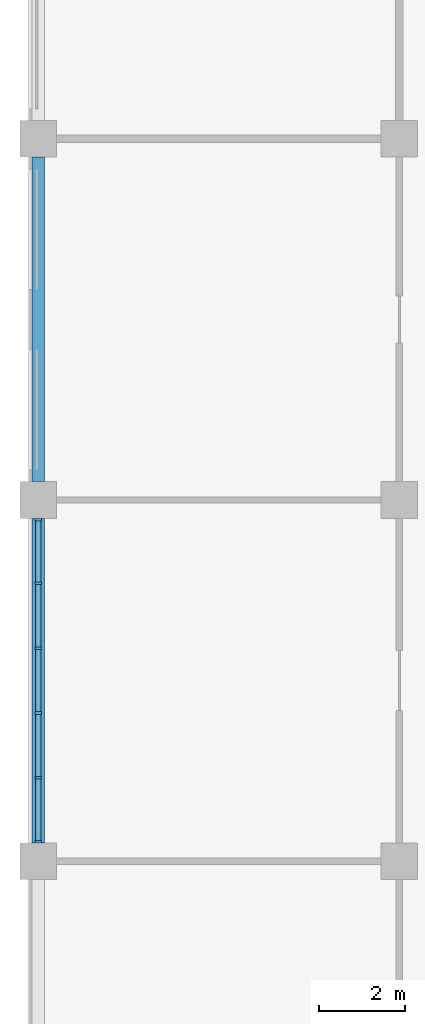
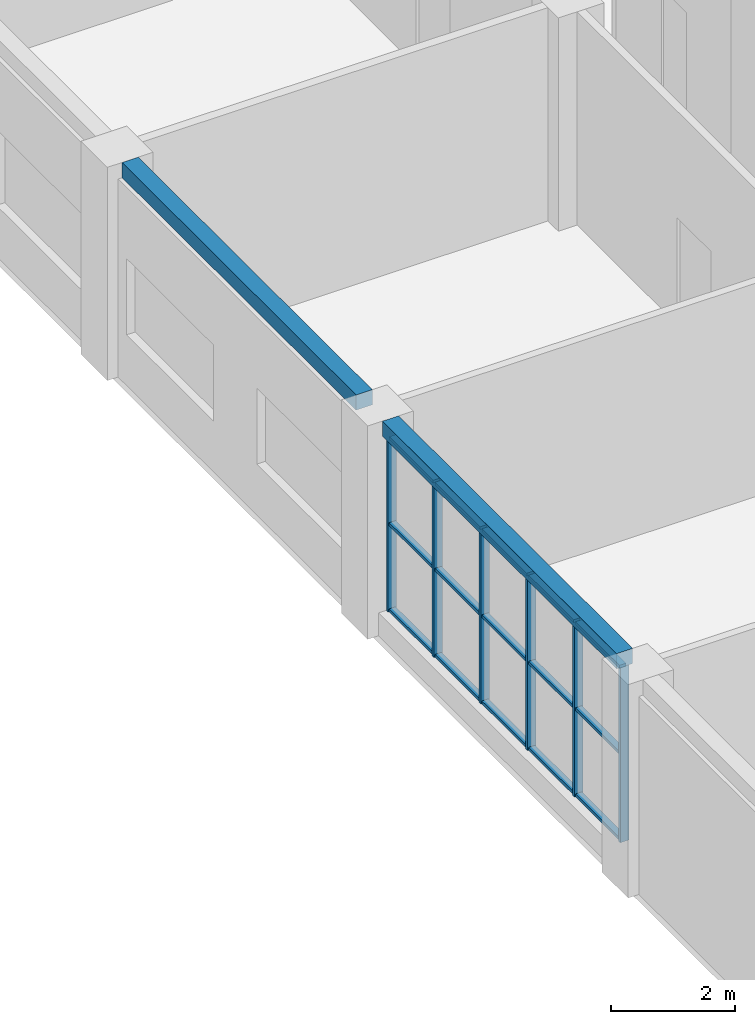
# One storey, part 5 of 66: 21 members, 2 beams, 1 element without a shape of its own.
"""IFC4 building model written with IfcOpenShell, lengths in metres."""

import ifcopenshell
import ifcopenshell.guid

model = None  # the IFC model being written
_history = None  # IfcOwnerHistory: only IFC2X3 demands one
_inside = {}  # id of a spatial element -> (the spatial element, [elements in it])
_under = {}  # id of a project, library or spatial element -> (it, [spatial elements below it])
_declared = {}  # id of a project -> (the project, [libraries it declares])
_typed = {}  # id of a type object -> (the type object, [elements of that type])
_made_of = {}  # id of a material, layer set ... -> (it, [elements and type objects made of it])


def new_model(schema):
    """Start an empty IFC model of exactly this schema.

    Asked for "IFC4X3", IfcOpenShell would pick the latest addendum, in which some entities
    have other attributes; the version numbers below select the first issue.
    IFC2X3 requires an IfcOwnerHistory on every rooted entity: one is made here for all.
    """
    global model, _history
    if schema == "IFC4X3":
        model = ifcopenshell.file(schema_version=(4, 3, 0, 0))
    else:
        model = ifcopenshell.file(schema=schema)
    _inside.clear()
    _under.clear()
    _declared.clear()
    _typed.clear()
    _made_of.clear()
    _history = None
    if model.schema == "IFC2X3":
        org = make("IfcOrganization", Name="unknown")
        user = make(
            "IfcPersonAndOrganization",
            ThePerson=make("IfcPerson", FamilyName="unknown"),
            TheOrganization=org,
        )
        app = make(
            "IfcApplication",
            ApplicationDeveloper=org,
            Version="unknown",
            ApplicationFullName="unknown",
            ApplicationIdentifier="unknown",
        )
        _history = make(
            "IfcOwnerHistory",
            OwningUser=user,
            OwningApplication=app,
            ChangeAction="ADDED",
            CreationDate=0,
        )
    return model


def make(cls, **values):
    """One entity of the class cls with the attributes given. An attribute that is None is left unset."""
    return model.create_entity(
        cls, **{name: value for name, value in values.items() if value is not None}
    )


def rooted(cls, **values):
    """An entity with a GlobalId (a new one), such as an element, a storey or a relation."""
    return make(cls, GlobalId=ifcopenshell.guid.new(), OwnerHistory=_history, **values)


def si_unit(unit_type, name, prefix=None):
    """IfcSIUnit, for example si_unit("LENGTHUNIT", "METRE", prefix="MILLI")."""
    return make("IfcSIUnit", UnitType=unit_type, Prefix=prefix, Name=name)


def assignment(units):
    """IfcUnitAssignment: the units of a project."""
    return None if units is None else make("IfcUnitAssignment", Units=units)


def point(xyz):
    """IfcCartesianPoint."""
    return None if xyz is None else make("IfcCartesianPoint", Coordinates=xyz)


def direction(xyz):
    """IfcDirection."""
    return None if xyz is None else make("IfcDirection", DirectionRatios=xyz)


def frame(location, z_axis=None, x_axis=None):
    """IfcAxis2Placement3D, a coordinate frame: its origin and axes. An axis left out is left unset."""
    return make(
        "IfcAxis2Placement3D",
        Location=point(location),
        Axis=direction(z_axis),
        RefDirection=direction(x_axis),
    )


def frame_2d(location, x_axis=None):
    """IfcAxis2Placement2D, a coordinate frame in the plane: its origin and x axis."""
    return make(
        "IfcAxis2Placement2D", Location=point(location), RefDirection=direction(x_axis)
    )


def origin():
    """The frame at (0, 0, 0) with its axes left unset."""
    return frame((0.0, 0.0, 0.0))


def origin_2d():
    """The frame at (0, 0) in the plane with its x axis left unset."""
    return frame_2d((0.0, 0.0))


def place(relative_to, where):
    """IfcLocalPlacement: puts the frame where relative to a parent placement (None: the world)."""
    return make(
        "IfcLocalPlacement", PlacementRelTo=relative_to, RelativePlacement=where
    )


def context(
    kind, dimensions, precision=None, world=None, true_north=None, identifier=None
):
    """IfcGeometricRepresentationContext, for example the 3D "Model" context."""
    return make(
        "IfcGeometricRepresentationContext",
        ContextIdentifier=identifier,
        ContextType=kind,
        CoordinateSpaceDimension=dimensions,
        Precision=precision,
        WorldCoordinateSystem=world,
        TrueNorth=true_north,
    )


def subcontext(parent, identifier, kind, view, scale=None):
    """IfcGeometricRepresentationSubContext, for example "Body" below "Model"."""
    return make(
        "IfcGeometricRepresentationSubContext",
        ContextIdentifier=identifier,
        ContextType=kind,
        ParentContext=parent,
        TargetScale=scale,
        TargetView=view,
    )


def project(units=None, contexts=None):
    """IfcProject with its units and contexts."""
    return rooted(
        "IfcProject",
        Name="project",
        RepresentationContexts=contexts,
        UnitsInContext=assignment(units),
    )


def spatial(cls, under=None, at=None, **own):
    """A site, building, storey or space (cls), placed at a placement, below another one or the project."""
    s = rooted(cls, ObjectPlacement=at, **own)
    if under is not None:
        _under.setdefault(under.id(), (under, []))[1].append(s)
    return s


def profile(cls, at=None, kind="AREA", **sizes):
    """A parametric profile (cls). Its sizes go by their IFC names, for example OverallWidth=200.0."""
    return make(cls, ProfileType=kind, Position=at, **sizes)


def rectangle(**sizes):
    """IfcRectangleProfileDef."""
    return profile("IfcRectangleProfileDef", **sizes)


def extrude(swept, where, along, depth):
    """IfcExtrudedAreaSolid: the profile swept, set in the frame where, extruded along a direction by depth."""
    return make(
        "IfcExtrudedAreaSolid",
        SweptArea=swept,
        Position=where,
        ExtrudedDirection=direction(along),
        Depth=depth,
    )


def shape(context_of_items, identifier, shape_type, items):
    """IfcShapeRepresentation: the items that make up one representation, for example the "Body"."""
    return make(
        "IfcShapeRepresentation",
        ContextOfItems=context_of_items,
        RepresentationIdentifier=identifier,
        RepresentationType=shape_type,
        Items=items,
    )


def material(Name=None, Category=None):
    """IfcMaterial."""
    return make("IfcMaterial", Name=Name, Category=Category)


def material_profile(
    of_material, cross_section, Name=None, Category=None, Priority=None
):
    """IfcMaterialProfile: a cross section and its material."""
    return make(
        "IfcMaterialProfile",
        Name=Name,
        Material=of_material,
        Profile=cross_section,
        Priority=Priority,
        Category=Category,
    )


def profile_set(profiles, Name=None, composite=None):
    """IfcMaterialProfileSet."""
    return make(
        "IfcMaterialProfileSet",
        Name=Name,
        MaterialProfiles=profiles,
        CompositeProfile=composite,
    )


def made_of(thing, what):
    """Note that an element or type object is made of a material, layer set ...; save() writes the relation."""
    if what is not None:
        _made_of.setdefault(what.id(), (what, []))[1].append(thing)
    return thing


def type_object(cls, material=None, **own):
    """A type object (cls), such as IfcWallType, which elements share."""
    return made_of(rooted(cls, **own), material)


def element(
    cls,
    number,
    at=None,
    inside=None,
    cuts=None,
    type_object=None,
    material=None,
    context=None,
    identifier="Body",
    shape_type=None,
    held_by="IfcProductDefinitionShape",
    body=None,
    shapes=None,
    **own,
):
    """One element of the class cls, such as IfcWall. Its Tag is "e" and its number.

    at: its placement. inside: the storey or other place that contains it. cuts: it is an
    opening in that element (IfcRelVoidsElement). A single representation is given by context,
    identifier, shape_type and body (its items); several are given by shapes. held_by: the class
    of the entity that holds the representations. save() writes the other relations.
    """
    e = rooted(cls, Tag="e%d" % number, ObjectPlacement=at, **own)
    if body is not None:
        shapes = [shape(context, identifier, shape_type, body)]
    if shapes is not None:
        e.Representation = make(held_by, Representations=shapes)
    if inside is not None:
        _inside.setdefault(inside.id(), (inside, []))[1].append(e)
    if cuts is not None:
        rooted(
            "IfcRelVoidsElement", RelatingBuildingElement=cuts, RelatedOpeningElement=e
        )
    if type_object is not None:
        _typed.setdefault(type_object.id(), (type_object, []))[1].append(e)
    return made_of(e, material)


def aggregate(whole, parts):
    """IfcRelAggregates: a whole, such as a stair, and the parts it consists of."""
    return rooted("IfcRelAggregates", RelatingObject=whole, RelatedObjects=parts)


def save(model, path):
    """Write the relations noted so far, then the file.

    IfcRelAggregates (storeys below a building ...), IfcRelContainedInSpatialStructure (elements
    in a storey), IfcRelDefinesByType, IfcRelAssociatesMaterial and IfcRelDeclares: one each for
    every whole, place, type object, material and project.
    """
    for whole, parts in _under.values():
        aggregate(whole, parts)
    for where, things in _inside.values():
        rooted(
            "IfcRelContainedInSpatialStructure",
            RelatedElements=things,
            RelatingStructure=where,
        )
    for kind, things in _typed.values():
        rooted("IfcRelDefinesByType", RelatedObjects=things, RelatingType=kind)
    for what, things in _made_of.values():
        rooted("IfcRelAssociatesMaterial", RelatedObjects=things, RelatingMaterial=what)
    for by, libraries in _declared.values():
        rooted("IfcRelDeclares", RelatingContext=by, RelatedDefinitions=libraries)
    model.write(path)


model = new_model("IFC4")

# Units and contexts
model_context = context("Model", 3, precision=1e-05, world=origin(), true_north=direction((0.0, 1.0)))
body_context = subcontext(model_context, "Body", "Model", "MODEL_VIEW")
ifc_project = project(units=[si_unit("LENGTHUNIT", "METRE"), si_unit("AREAUNIT", "SQUARE_METRE"), si_unit("VOLUMEUNIT", "CUBIC_METRE"), si_unit("PLANEANGLEUNIT", "RADIAN"), si_unit("MASSUNIT", "GRAM", prefix="KILO")], contexts=[model_context])

# Site, building, storey
site_placement = place(None, origin())
site = spatial("IfcSite", under=ifc_project, at=site_placement, CompositionType="ELEMENT")
building_placement = place(site_placement, origin())
building = spatial("IfcBuilding", under=site, at=building_placement, Name="Yavir Park General Hospital", CompositionType="ELEMENT")
storey_placement = place(building_placement, frame((0.0, 0.0, 8.39990234375)))
storey = spatial("IfcBuildingStorey", under=building, at=storey_placement, Name="L02", CompositionType="ELEMENT", Elevation=8.39990234375)

# Beams
ifc_material_1 = material(Name="Concrete C35/45", Category="concrete")
ifc_material_profile_1 = material_profile(ifc_material_1, rectangle(XDim=0.300048828125, YDim=0.300048828125, at=origin_2d()), Name="RC300x300")
ifc_profile_set_1 = profile_set([ifc_material_profile_1], Name="Concrete C35/45")
beam_type = type_object("IfcBeamType", Name="RC BEAM 300x300 edge beam", PredefinedType="BEAM", material=ifc_profile_set_1)
for number, where, z_axis, x_axis, name in (
    (1, (0.0, 34.02490234375, 4.050048828125), (0.0, 1.0, 0.0), (-1.0, 0.0, 0.0), "B:EDGE:L02:036"),
    (2, (0.0, 42.425048828125, 4.050048828125), (0.0, 1.0, 0.0), (-1.0, 0.0, 0.0), "B:EDGE:L02:037"),
):
    element("IfcBeam", number, at=place(storey_placement, frame(where, z_axis=z_axis, x_axis=x_axis)), inside=storey, type_object=beam_type, Name=name, PredefinedType="BEAM", context=body_context, shape_type="SweptSolid", body=[
        extrude(rectangle(XDim=0.300048828125, YDim=0.300048828125, at=origin_2d()), origin(), (0.0, 0.0, 1.0), 7.550048828125),
    ])

# Curtain wall, members
ifc_material_2 = material(Name="Aluminium curtain wall frame with insulated glazing", Category="aluminium")
curtain_wall_type = type_object("IfcCurtainWallType", Name="Waiting area glazing, 3450 high, 1400 module", PredefinedType="NOTDEFINED", material=ifc_material_2)
curtain_wall_placement = place(storey_placement, origin())
curtain_wall = element("IfcCurtainWall", 3, at=curtain_wall_placement, inside=storey, type_object=curtain_wall_type, Name="CW60 L02-021", PredefinedType="NOTDEFINED")
ifc_material_3 = material(Name="Aluminium", Category="aluminium")
ifc_material_profile_2 = material_profile(ifc_material_3, rectangle(XDim=0.159912109375, YDim=0.06005859375, at=origin_2d()), Name="AL 60x160")
ifc_profile_set_2 = profile_set([ifc_material_profile_2], Name="Aluminium")
member_type_1 = type_object("IfcMemberType", Name="Waiting area glazing, 3450 high mullion 60 x 160", PredefinedType="MULLION", material=ifc_profile_set_2)
member_1_placement = place(storey_placement, frame((0.0, 34.054931640625, 0.4501953125), z_axis=(0.0, 0.0, 1.0), x_axis=(-1.0, 0.0, 0.0)))
member_1 = element("IfcMember", 4, at=member_1_placement, type_object=member_type_1, Name="CW60 mullion 1", PredefinedType="MULLION", context=body_context, shape_type="SweptSolid", body=[
    extrude(rectangle(XDim=0.159912109375, YDim=0.06005859375, at=origin_2d()), origin(), (0.0, 0.0, 1.0), 3.449951171875),
])
member_2_placement = place(storey_placement, frame((0.0, 35.534912109375, 0.4501953125), z_axis=(0.0, 0.0, 1.0), x_axis=(-1.0, 0.0, 0.0)))
member_2 = element("IfcMember", 5, at=member_2_placement, type_object=member_type_1, Name="CW60 mullion 2", PredefinedType="MULLION", context=body_context, shape_type="SweptSolid", body=[
    extrude(rectangle(XDim=0.159912109375, YDim=0.06005859375, at=origin_2d()), origin(), (0.0, 0.0, 1.0), 3.449951171875),
])
member_3_placement = place(storey_placement, frame((0.0, 37.044921875, 0.4501953125), z_axis=(0.0, 0.0, 1.0), x_axis=(-1.0, 0.0, 0.0)))
member_3 = element("IfcMember", 6, at=member_3_placement, type_object=member_type_1, Name="CW60 mullion 3", PredefinedType="MULLION", context=body_context, shape_type="SweptSolid", body=[
    extrude(rectangle(XDim=0.159912109375, YDim=0.06005859375, at=origin_2d()), origin(), (0.0, 0.0, 1.0), 3.449951171875),
])
member_4_placement = place(storey_placement, frame((0.0, 38.554931640625, 0.4501953125), z_axis=(0.0, 0.0, 1.0), x_axis=(-1.0, 0.0, 0.0)))
member_4 = element("IfcMember", 7, at=member_4_placement, type_object=member_type_1, Name="CW60 mullion 4", PredefinedType="MULLION", context=body_context, shape_type="SweptSolid", body=[
    extrude(rectangle(XDim=0.159912109375, YDim=0.06005859375, at=origin_2d()), origin(), (0.0, 0.0, 1.0), 3.449951171875),
])
member_5_placement = place(storey_placement, frame((0.0, 40.06494140625, 0.4501953125), z_axis=(0.0, 0.0, 1.0), x_axis=(-1.0, 0.0, 0.0)))
member_5 = element("IfcMember", 8, at=member_5_placement, type_object=member_type_1, Name="CW60 mullion 5", PredefinedType="MULLION", context=body_context, shape_type="SweptSolid", body=[
    extrude(rectangle(XDim=0.159912109375, YDim=0.06005859375, at=origin_2d()), origin(), (0.0, 0.0, 1.0), 3.449951171875),
])
member_6_placement = place(storey_placement, frame((0.0, 41.544921875, 0.4501953125), z_axis=(0.0, 0.0, 1.0), x_axis=(-1.0, 0.0, 0.0)))
member_6 = element("IfcMember", 9, at=member_6_placement, type_object=member_type_1, Name="CW60 mullion 6", PredefinedType="MULLION", context=body_context, shape_type="SweptSolid", body=[
    extrude(rectangle(XDim=0.159912109375, YDim=0.06005859375, at=origin_2d()), origin(), (0.0, 0.0, 1.0), 3.449951171875),
])
ifc_material_4 = material(Name="Aluminium", Category="aluminium")
ifc_material_profile_3 = material_profile(ifc_material_4, rectangle(XDim=0.1201171875, YDim=0.06005859375, at=origin_2d()), Name="AL 120x60")
ifc_profile_set_3 = profile_set([ifc_material_profile_3], Name="Aluminium")
member_type_2 = type_object("IfcMemberType", Name="Waiting area glazing, 3450 high transom 60 x 120", PredefinedType="MULLION", material=ifc_profile_set_3)
member_7_placement = place(storey_placement, frame((0.0, 34.0849609375, 0.47998046875), z_axis=(0.0, 1.0, 0.0), x_axis=(-1.0, 0.0, 0.0)))
member_7 = element("IfcMember", 10, at=member_7_placement, type_object=member_type_2, Name="CW60 transom 1.1", PredefinedType="MULLION", context=body_context, shape_type="SweptSolid", body=[
    extrude(rectangle(XDim=0.1201171875, YDim=0.06005859375, at=origin_2d()), origin(), (0.0, 0.0, 1.0), 1.419921875),
])
member_8_placement = place(storey_placement, frame((0.0, 34.0849609375, 2.175048828125), z_axis=(0.0, 1.0, 0.0), x_axis=(-1.0, 0.0, 0.0)))
member_8 = element("IfcMember", 11, at=member_8_placement, type_object=member_type_2, Name="CW60 transom 1.2", PredefinedType="MULLION", context=body_context, shape_type="SweptSolid", body=[
    extrude(rectangle(XDim=0.1201171875, YDim=0.06005859375, at=origin_2d()), origin(), (0.0, 0.0, 1.0), 1.419921875),
])
member_9_placement = place(storey_placement, frame((0.0, 34.0849609375, 3.8701171875), z_axis=(0.0, 1.0, 0.0), x_axis=(-1.0, 0.0, 0.0)))
member_9 = element("IfcMember", 12, at=member_9_placement, type_object=member_type_2, Name="CW60 transom 1.3", PredefinedType="MULLION", context=body_context, shape_type="SweptSolid", body=[
    extrude(rectangle(XDim=0.1201171875, YDim=0.06005859375, at=origin_2d()), origin(), (0.0, 0.0, 1.0), 1.419921875),
])
member_10_placement = place(storey_placement, frame((0.0, 35.56494140625, 0.47998046875), z_axis=(0.0, 1.0, 0.0), x_axis=(-1.0, 0.0, 0.0)))
member_10 = element("IfcMember", 13, at=member_10_placement, type_object=member_type_2, Name="CW60 transom 2.1", PredefinedType="MULLION", context=body_context, shape_type="SweptSolid", body=[
    extrude(rectangle(XDim=0.1201171875, YDim=0.06005859375, at=origin_2d()), origin(), (0.0, 0.0, 1.0), 1.449951171875),
])
member_11_placement = place(storey_placement, frame((0.0, 35.56494140625, 2.175048828125), z_axis=(0.0, 1.0, 0.0), x_axis=(-1.0, 0.0, 0.0)))
member_11 = element("IfcMember", 14, at=member_11_placement, type_object=member_type_2, Name="CW60 transom 2.2", PredefinedType="MULLION", context=body_context, shape_type="SweptSolid", body=[
    extrude(rectangle(XDim=0.1201171875, YDim=0.06005859375, at=origin_2d()), origin(), (0.0, 0.0, 1.0), 1.449951171875),
])
member_12_placement = place(storey_placement, frame((0.0, 35.56494140625, 3.8701171875), z_axis=(0.0, 1.0, 0.0), x_axis=(-1.0, 0.0, 0.0)))
member_12 = element("IfcMember", 15, at=member_12_placement, type_object=member_type_2, Name="CW60 transom 2.3", PredefinedType="MULLION", context=body_context, shape_type="SweptSolid", body=[
    extrude(rectangle(XDim=0.1201171875, YDim=0.06005859375, at=origin_2d()), origin(), (0.0, 0.0, 1.0), 1.449951171875),
])
member_13_placement = place(storey_placement, frame((0.0, 37.074951171875, 0.47998046875), z_axis=(0.0, 1.0, 0.0), x_axis=(-1.0, 0.0, 0.0)))
member_13 = element("IfcMember", 16, at=member_13_placement, type_object=member_type_2, Name="CW60 transom 3.1", PredefinedType="MULLION", context=body_context, shape_type="SweptSolid", body=[
    extrude(rectangle(XDim=0.1201171875, YDim=0.06005859375, at=origin_2d()), origin(), (0.0, 0.0, 1.0), 1.449951171875),
])
member_14_placement = place(storey_placement, frame((0.0, 37.074951171875, 2.175048828125), z_axis=(0.0, 1.0, 0.0), x_axis=(-1.0, 0.0, 0.0)))
member_14 = element("IfcMember", 17, at=member_14_placement, type_object=member_type_2, Name="CW60 transom 3.2", PredefinedType="MULLION", context=body_context, shape_type="SweptSolid", body=[
    extrude(rectangle(XDim=0.1201171875, YDim=0.06005859375, at=origin_2d()), origin(), (0.0, 0.0, 1.0), 1.449951171875),
])
member_15_placement = place(storey_placement, frame((0.0, 37.074951171875, 3.8701171875), z_axis=(0.0, 1.0, 0.0), x_axis=(-1.0, 0.0, 0.0)))
member_15 = element("IfcMember", 18, at=member_15_placement, type_object=member_type_2, Name="CW60 transom 3.3", PredefinedType="MULLION", context=body_context, shape_type="SweptSolid", body=[
    extrude(rectangle(XDim=0.1201171875, YDim=0.06005859375, at=origin_2d()), origin(), (0.0, 0.0, 1.0), 1.449951171875),
])
member_16_placement = place(storey_placement, frame((0.0, 38.5849609375, 0.47998046875), z_axis=(0.0, 1.0, 0.0), x_axis=(-1.0, 0.0, 0.0)))
member_16 = element("IfcMember", 19, at=member_16_placement, type_object=member_type_2, Name="CW60 transom 4.1", PredefinedType="MULLION", context=body_context, shape_type="SweptSolid", body=[
    extrude(rectangle(XDim=0.1201171875, YDim=0.06005859375, at=origin_2d()), origin(), (0.0, 0.0, 1.0), 1.449951171875),
])
member_17_placement = place(storey_placement, frame((0.0, 38.5849609375, 2.175048828125), z_axis=(0.0, 1.0, 0.0), x_axis=(-1.0, 0.0, 0.0)))
member_17 = element("IfcMember", 20, at=member_17_placement, type_object=member_type_2, Name="CW60 transom 4.2", PredefinedType="MULLION", context=body_context, shape_type="SweptSolid", body=[
    extrude(rectangle(XDim=0.1201171875, YDim=0.06005859375, at=origin_2d()), origin(), (0.0, 0.0, 1.0), 1.449951171875),
])
member_18_placement = place(storey_placement, frame((0.0, 38.5849609375, 3.8701171875), z_axis=(0.0, 1.0, 0.0), x_axis=(-1.0, 0.0, 0.0)))
member_18 = element("IfcMember", 21, at=member_18_placement, type_object=member_type_2, Name="CW60 transom 4.3", PredefinedType="MULLION", context=body_context, shape_type="SweptSolid", body=[
    extrude(rectangle(XDim=0.1201171875, YDim=0.06005859375, at=origin_2d()), origin(), (0.0, 0.0, 1.0), 1.449951171875),
])
member_19_placement = place(storey_placement, frame((0.0, 40.094970703125, 0.47998046875), z_axis=(0.0, 1.0, 0.0), x_axis=(-1.0, 0.0, 0.0)))
member_19 = element("IfcMember", 22, at=member_19_placement, type_object=member_type_2, Name="CW60 transom 5.1", PredefinedType="MULLION", context=body_context, shape_type="SweptSolid", body=[
    extrude(rectangle(XDim=0.1201171875, YDim=0.06005859375, at=origin_2d()), origin(), (0.0, 0.0, 1.0), 1.419921875),
])
member_20_placement = place(storey_placement, frame((0.0, 40.094970703125, 2.175048828125), z_axis=(0.0, 1.0, 0.0), x_axis=(-1.0, 0.0, 0.0)))
member_20 = element("IfcMember", 23, at=member_20_placement, type_object=member_type_2, Name="CW60 transom 5.2", PredefinedType="MULLION", context=body_context, shape_type="SweptSolid", body=[
    extrude(rectangle(XDim=0.1201171875, YDim=0.06005859375, at=origin_2d()), origin(), (0.0, 0.0, 1.0), 1.419921875),
])
member_21_placement = place(storey_placement, frame((0.0, 40.094970703125, 3.8701171875), z_axis=(0.0, 1.0, 0.0), x_axis=(-1.0, 0.0, 0.0)))
member_21 = element("IfcMember", 24, at=member_21_placement, type_object=member_type_2, Name="CW60 transom 5.3", PredefinedType="MULLION", context=body_context, shape_type="SweptSolid", body=[
    extrude(rectangle(XDim=0.1201171875, YDim=0.06005859375, at=origin_2d()), origin(), (0.0, 0.0, 1.0), 1.419921875),
])
aggregate(curtain_wall, [member_1, member_2, member_3, member_4, member_5, member_6, member_7, member_8, member_9, member_10, member_11, member_12, member_13, member_14, member_15, member_16, member_17, member_18, member_19, member_20, member_21])

save(model, "model.ifc")
